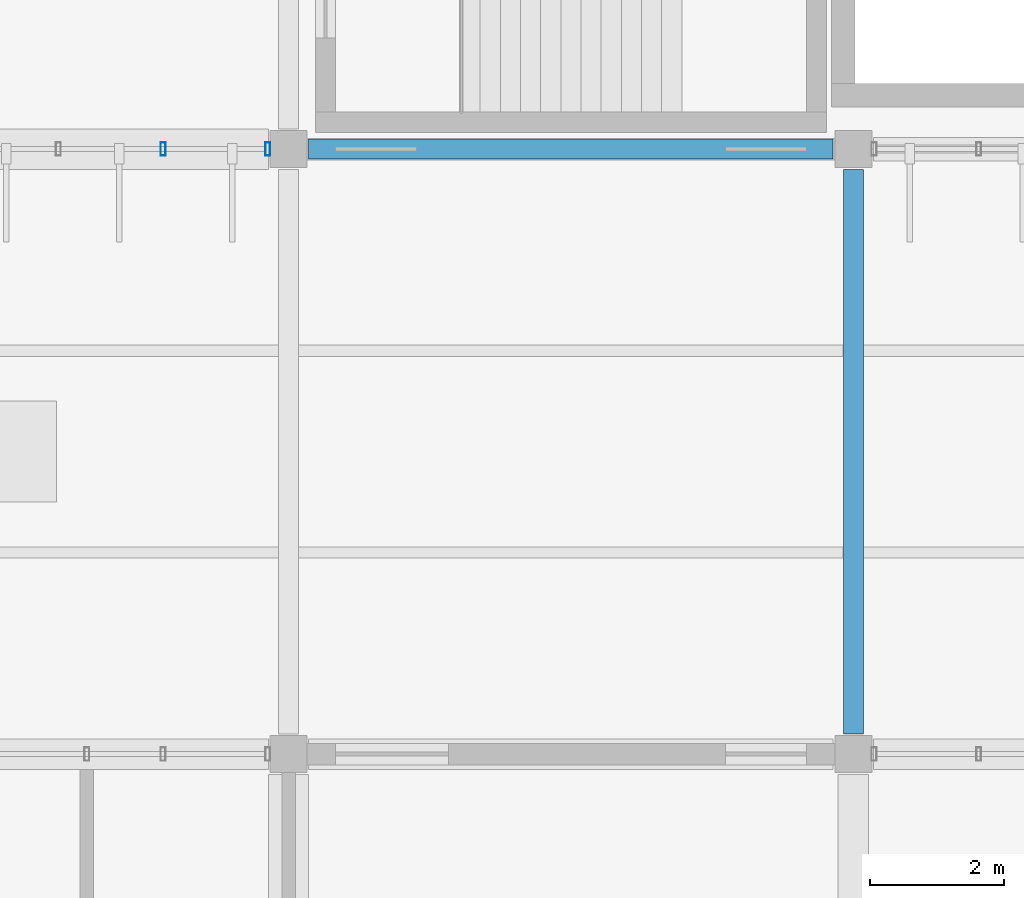
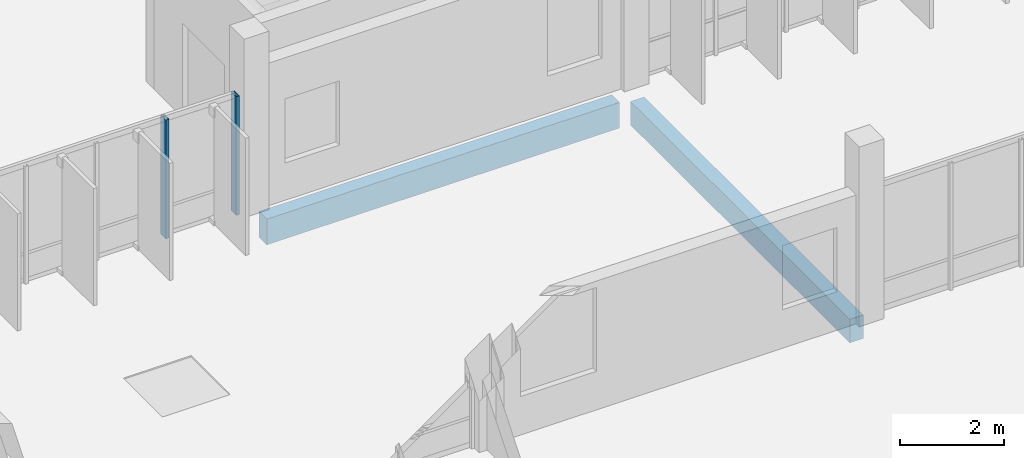
# One storey, part 57 of 130: 2 beams, 2 members, 1 element without a shape of its own.
"""IFC4 building model written with IfcOpenShell, lengths in metres."""

from ifc_helpers import new_model, si_unit, direction, frame, origin, origin_2d, place, context, subcontext, project, spatial, rectangle, hollow_rectangle, extrude, material, layer, layer_set, material_profile, profile_set, type_object, element, aggregate, save


model = new_model("IFC4")

# Units and contexts
model_context = context("Model", 3, precision=1e-05, world=origin(), true_north=direction((0.0, 1.0)))
body_context = subcontext(model_context, "Body", "Model", "MODEL_VIEW")
ifc_project = project(units=[si_unit("LENGTHUNIT", "METRE"), si_unit("AREAUNIT", "SQUARE_METRE"), si_unit("VOLUMEUNIT", "CUBIC_METRE"), si_unit("PLANEANGLEUNIT", "RADIAN"), si_unit("MASSUNIT", "GRAM", prefix="KILO")], contexts=[model_context])

# Site, building, storey
site_placement = place(None, origin())
site = spatial("IfcSite", under=ifc_project, at=site_placement, CompositionType="ELEMENT")
building_placement = place(site_placement, origin())
building = spatial("IfcBuilding", under=site, at=building_placement, Name="Vireocrest Preparatory School", CompositionType="ELEMENT")
storey_placement = place(building_placement, frame((0.0, 0.0, 9.0)))
storey = spatial("IfcBuildingStorey", under=building, at=storey_placement, Name="L02", CompositionType="ELEMENT", Elevation=9.0)

# Curtain wall, members
ifc_material_1 = material(Name="Thermally broken aluminium EN AW-6063-T6", Category="aluminium")
ifc_layer = layer(ifc_material_1, 0.179931640625)
ifc_layer_set = layer_set([ifc_layer], Name="Thermally broken aluminium EN AW-6063-T6")
curtain_wall_type = type_object("IfcCurtainWallType", Name="Teaching Fin Curtain Wall 8400x4200", PredefinedType="USERDEFINED", material=ifc_layer_set)
curtain_wall_placement = place(storey_placement, origin())
curtain_wall = element("IfcCurtainWall", 1, at=curtain_wall_placement, inside=storey, type_object=curtain_wall_type, Name="Curtain Wall CW03 CW_L02_CW03_0422_0948_090", ObjectType="CURTAIN WALL", PredefinedType="USERDEFINED")
ifc_material_profile_1 = material_profile(ifc_material_1, hollow_rectangle(XDim=0.074951171875, YDim=0.199951171875, WallThickness=0.0048828125, at=origin_2d()), Name="ALU 75x200x5")
ifc_profile_set_1 = profile_set([ifc_material_profile_1], Name="Thermally broken aluminium EN AW-6063-T6")
member_type = type_object("IfcMemberType", Name="CW Mullion 75x200x5", PredefinedType="MULLION", material=ifc_profile_set_1)
member_1_placement = place(storey_placement, frame((48.533935546875, 94.800048828125, 0.0), z_axis=(0.0, 0.0, 1.0), x_axis=(1.0, 0.0, 0.0)))
member_1 = element("IfcMember", 2, at=member_1_placement, type_object=member_type, Name="CW Mullion ML3 CW_L02_CW03_0422_0948_090-5", PredefinedType="MULLION", context=body_context, shape_type="SweptSolid", body=[
    extrude(hollow_rectangle(XDim=0.074951171875, YDim=0.199951171875, WallThickness=0.0048828125, at=origin_2d()), origin(), (0.0, 0.0, 1.0), 2.77490234375),
])
member_2_placement = place(storey_placement, frame((50.090087890625, 94.800048828125, 0.0), z_axis=(0.0, 0.0, 1.0), x_axis=(1.0, 0.0, 0.0)))
member_2 = element("IfcMember", 3, at=member_2_placement, type_object=member_type, Name="CW Mullion ML3 CW_L02_CW03_0422_0948_090-6", PredefinedType="MULLION", context=body_context, shape_type="SweptSolid", body=[
    extrude(hollow_rectangle(XDim=0.074951171875, YDim=0.199951171875, WallThickness=0.0048828125, at=origin_2d()), origin(), (0.0, 0.0, 1.0), 2.77490234375),
])
aggregate(curtain_wall, [member_1, member_2])

# Beams
ifc_material_2 = material(Name="Concrete 40 MPa", Category="concrete")
ifc_material_profile_2 = material_profile(ifc_material_2, rectangle(XDim=0.300048828125, YDim=0.60009765625, at=origin_2d()), Name="RC 300x600")
ifc_profile_set_2 = profile_set([ifc_material_profile_2], Name="Concrete 40 MPa")
beam_type_1 = type_object("IfcBeamType", Name="RC Classroom Beam 300x600", PredefinedType="BEAM", material=ifc_profile_set_2)
beam_1_placement = place(storey_placement, frame((50.699951171875, 94.800048828125, -0.580078125), z_axis=(1.0, 0.0, 0.0), x_axis=(0.0, 1.0, 0.0)))
element("IfcBeam", 4, at=beam_1_placement, inside=storey, type_object=beam_type_1, Name="Primary Girder B03 L02-0757", PredefinedType="BEAM", context=body_context, shape_type="SweptSolid", body=[
    extrude(rectangle(XDim=0.300048828125, YDim=0.60009765625, at=origin_2d()), origin(), (0.0, 0.0, 1.0), 7.800048828125),
])
ifc_material_profile_3 = material_profile(ifc_material_2, rectangle(XDim=0.300048828125, YDim=0.550048828125, at=origin_2d()), Name="RC 300x550")
ifc_profile_set_3 = profile_set([ifc_material_profile_3], Name="Concrete 40 MPa")
beam_type_2 = type_object("IfcBeamType", Name="RC Roof Girder 300x550", PredefinedType="BEAM", material=ifc_profile_set_3)
beam_2_placement = place(storey_placement, frame((58.800048828125, 86.10009765625, -0.4951171875), z_axis=(0.0, 1.0, 0.0), x_axis=(-1.0, 0.0, 0.0)))
element("IfcBeam", 5, at=beam_2_placement, inside=storey, type_object=beam_type_2, Name="Primary Girder B02 L02-0815", PredefinedType="BEAM", context=body_context, shape_type="SweptSolid", body=[
    extrude(rectangle(XDim=0.300048828125, YDim=0.550048828125, at=origin_2d()), origin(), (0.0, 0.0, 1.0), 8.39990234375),
])

save(model, "model.ifc")
